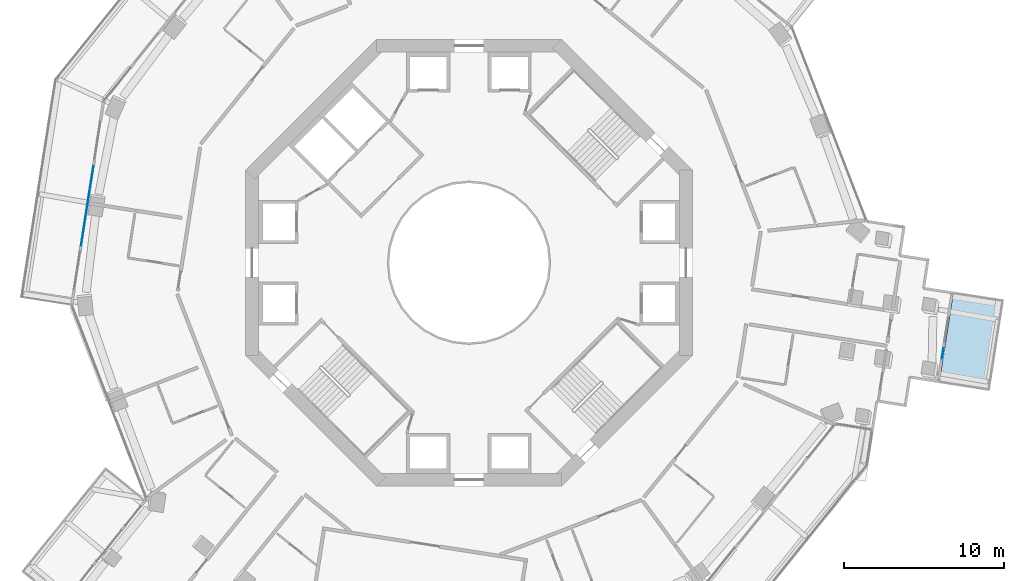
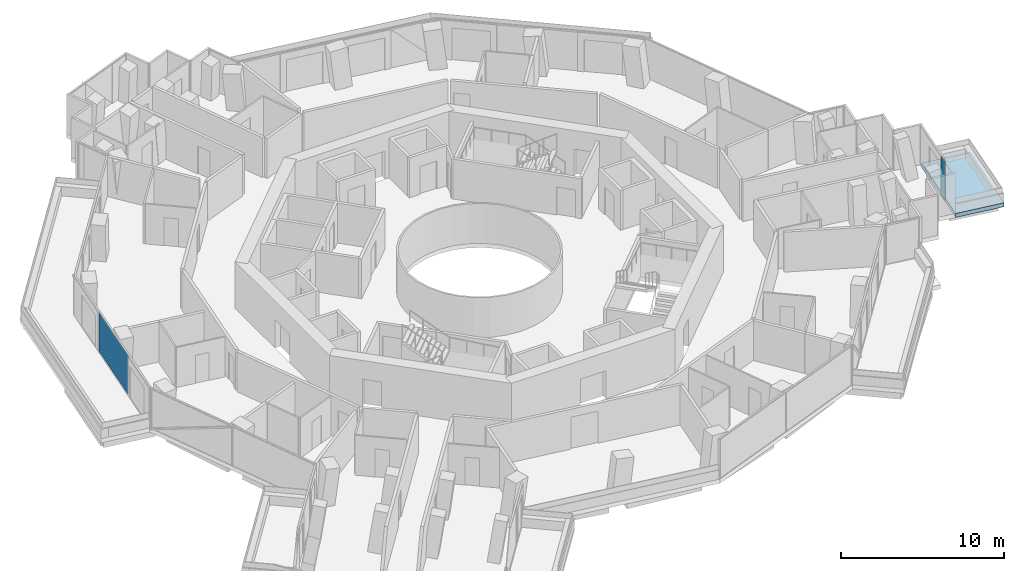
# One storey, part 12 of 23: 2 plates, 1 slab, 2 elements without a shape of their own.
"""IFC4 building model written with IfcOpenShell, lengths in metres."""

from ifc_helpers import new_model, si_unit, direction, frame, origin, origin_2d, place, context, subcontext, project, spatial, polyline, rectangle, outline, extrude, material, layer, layer_set, type_object, element, aggregate, save


model = new_model("IFC4")

# Units and contexts
model_context = context("Model", 3, precision=1e-05, world=origin(), true_north=direction((0.0, 1.0)))
body_context = subcontext(model_context, "Body", "Model", "MODEL_VIEW")
ifc_project = project(units=[si_unit("LENGTHUNIT", "METRE"), si_unit("AREAUNIT", "SQUARE_METRE"), si_unit("VOLUMEUNIT", "CUBIC_METRE"), si_unit("PLANEANGLEUNIT", "RADIAN"), si_unit("MASSUNIT", "GRAM", prefix="KILO")], contexts=[model_context])

# Site, building, storey
site_placement = place(None, origin())
site = spatial("IfcSite", under=ifc_project, at=site_placement, CompositionType="ELEMENT")
building_placement = place(site_placement, origin())
building = spatial("IfcBuilding", under=site, at=building_placement, Name="Verdalira Terraces Hotel", CompositionType="ELEMENT")
storey_placement = place(building_placement, frame((0.0, 0.0, 118.5)))
storey = spatial("IfcBuildingStorey", under=building, at=storey_placement, Name="L28", CompositionType="ELEMENT", Elevation=118.5)

# Slab
ifc_material_1 = material(Name="Precast concrete C40/50", Category="concrete")
ifc_layer_1 = layer(ifc_material_1, 0.31005859375)
ifc_layer_set_1 = layer_set([ifc_layer_1], Name="Balcony deck 310")
slab_type = type_object("IfcSlabType", Name="Balcony deck 310", PredefinedType="FLOOR", material=ifc_layer_set_1)
slab_placement = place(storey_placement, frame((0.0, 0.0, -0.310059)))
element("IfcSlab", 1, at=slab_placement, inside=storey, type_object=slab_type, Name="Balcony deck", PredefinedType="FLOOR", context=body_context, shape_type="SweptSolid", body=[
    extrude(outline(polyline([(33.523193, -2.30249), (30.361572, -1.80835), (29.466309, -7.539062), (32.62793, -8.032959), (33.523193, -2.30249)])), origin(), (0.0, 0.0, 1.0), 0.310059),
])

# Curtain wall, plate
ifc_material_2 = material(Name="Clear glass", Category="glass")
ifc_layer_2 = layer(ifc_material_2, 0.14990234375)
ifc_layer_set_2 = layer_set([ifc_layer_2], Name="CW1 curtain wall")
curtain_wall_type_1 = type_object("IfcCurtainWallType", Name="CW1 curtain wall", PredefinedType="NOTDEFINED", material=ifc_layer_set_2)
curtain_wall_1_placement = place(storey_placement, origin())
curtain_wall_1 = element("IfcCurtainWall", 2, at=curtain_wall_1_placement, inside=storey, type_object=curtain_wall_type_1, Name="CW1 curtain wall L28 edge 12", PredefinedType="NOTDEFINED")
ifc_material_3 = material(Name="Clear glass", Category="glass")
ifc_layer_3 = layer(ifc_material_3, 0.028076171875)
ifc_layer_set_3 = layer_set([ifc_layer_3], Name="CW1 glass unit 28")
plate_type_1 = type_object("IfcPlateType", Name="CW1 glass unit 28", PredefinedType="CURTAIN_PANEL", material=ifc_layer_set_3)
plate_1_placement = place(storey_placement, frame((-23.919434, 3.566895, 0.0), z_axis=(0.0, 0.0, 1.0), x_axis=(-0.154365514, -0.98801381, 0.0)))
plate_1 = element("IfcPlate", 3, at=plate_1_placement, type_object=plate_type_1, Name="CW1 glass unit", PredefinedType="CURTAIN_PANEL", context=body_context, shape_type="SweptSolid", body=[
    extrude(rectangle(XDim=5.042969, YDim=0.028076, at=origin_2d()), origin(), (0.0, 0.0, 1.0), 2.935059),
])
aggregate(curtain_wall_1, [plate_1])

ifc_material_4 = material(Name="Clear glass", Category="glass")
ifc_layer_4 = layer(ifc_material_4, 0.14990234375)
ifc_layer_set_4 = layer_set([ifc_layer_4], Name="CW3 curtain wall")
curtain_wall_type_2 = type_object("IfcCurtainWallType", Name="CW3 curtain wall", PredefinedType="NOTDEFINED", material=ifc_layer_set_4)
curtain_wall_2_placement = place(storey_placement, origin())
curtain_wall_2 = element("IfcCurtainWall", 4, at=curtain_wall_2_placement, inside=storey, type_object=curtain_wall_type_2, Name="CW3 curtain wall L28 edge 33", PredefinedType="NOTDEFINED")
ifc_material_5 = material(Name="Clear glass", Category="glass")
ifc_layer_5 = layer(ifc_material_5, 0.035888671875)
ifc_layer_set_5 = layer_set([ifc_layer_5], Name="CW3 glass unit 36")
plate_type_2 = type_object("IfcPlateType", Name="CW3 glass unit 36", PredefinedType="CURTAIN_PANEL", material=ifc_layer_set_5)
plate_2_placement = place(storey_placement, frame((29.679199, -5.69043, 0.0), z_axis=(0.0, 0.0, 1.0), x_axis=(0.154365514, 0.98801381, 0.0)))
plate_2 = element("IfcPlate", 5, at=plate_2_placement, type_object=plate_type_2, Name="CW3 glass unit", PredefinedType="CURTAIN_PANEL", context=body_context, shape_type="SweptSolid", body=[
    extrude(rectangle(XDim=0.681885, YDim=0.035889, at=origin_2d()), origin(), (0.0, 0.0, 1.0), 2.935059),
])
aggregate(curtain_wall_2, [plate_2])

save(model, "model.ifc")
